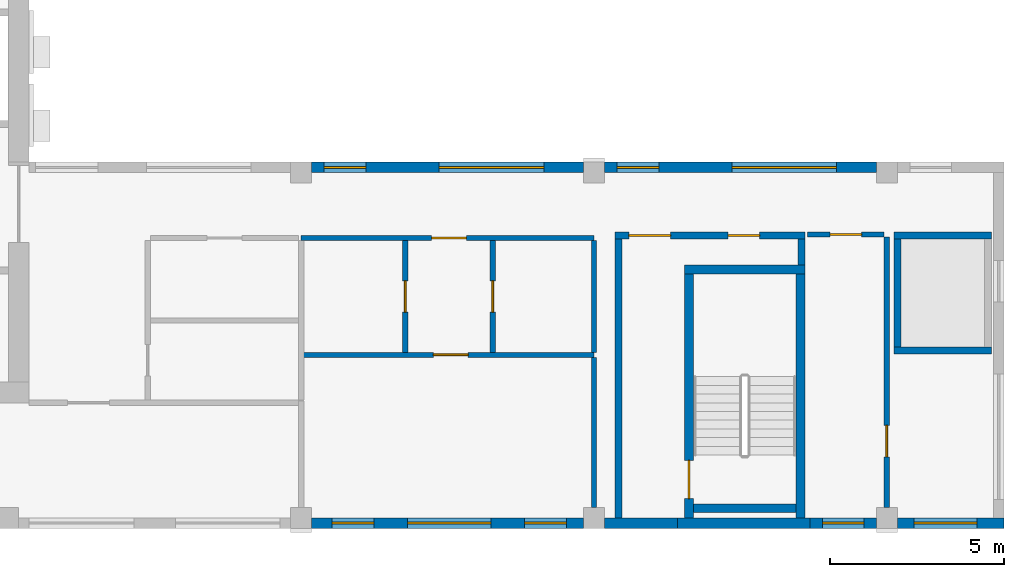
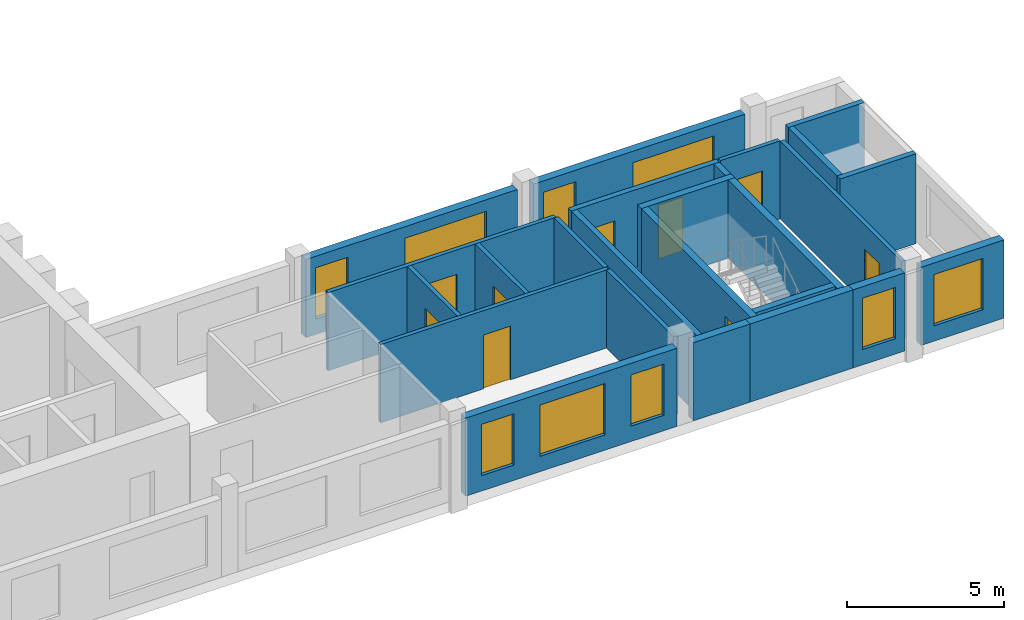
# One storey, part 4 of 10: 25 walls, 9 doors, 9 windows, 18 openings.
"""IFC4 building model written with IfcOpenShell, lengths in metres."""

from ifc_helpers import new_model, si_unit, direction, frame, frame_2d, origin, place, context, subcontext, project, spatial, rectangle, extrude, source, transform, mapped, material, layer, layer_set, type_object, element, fill, save


model = new_model("IFC4")

# Units and contexts
model_context = context("Model", 3, precision=1e-05, world=origin(), true_north=direction((0.0, 1.0)))
body_context = subcontext(model_context, "Body", "Model", "MODEL_VIEW")
ifc_project = project(units=[si_unit("LENGTHUNIT", "METRE"), si_unit("AREAUNIT", "SQUARE_METRE"), si_unit("VOLUMEUNIT", "CUBIC_METRE"), si_unit("PLANEANGLEUNIT", "RADIAN"), si_unit("MASSUNIT", "GRAM", prefix="KILO")], contexts=[model_context])

# Site, building, storey
site_placement = place(None, origin())
site = spatial("IfcSite", under=ifc_project, at=site_placement, CompositionType="ELEMENT")
building_placement = place(site_placement, origin())
building = spatial("IfcBuilding", under=site, at=building_placement, Name="Aurelian Terraces", CompositionType="ELEMENT")
storey_placement = place(building_placement, frame((0.0, 0.0, 365.0)))
storey = spatial("IfcBuildingStorey", under=building, at=storey_placement, Name="L87", CompositionType="ELEMENT", Elevation=365.0)

# Wall
ifc_material_1 = material(Name="Gypsum board on steel studs", Category="steel")
ifc_layer_1 = layer(ifc_material_1, 0.2)
ifc_layer_set_1 = layer_set([ifc_layer_1], Name="Core partition 200")
wall_type_1 = type_object("IfcWallType", Name="Core partition 200", PredefinedType="PARTITIONING", material=ifc_layer_set_1)
wall_1_placement = place(storey_placement, frame((38.5, 0.3, 0.0), z_axis=(0.0, 0.0, 1.0), x_axis=(0.0, 1.0, 0.0)))
element("IfcWall", 1, at=wall_1_placement, inside=storey, type_object=wall_type_1, Name="L87 core wall ST-S2-VW", PredefinedType="PARTITIONING", context=body_context, shape_type="SweptSolid", body=[
    extrude(rectangle(XDim=8.0, YDim=0.2, at=frame_2d((4.0, 0.0))), origin(), (0.0, 0.0, 1.0), 3.05),
])

# Wall, openings, doors
wall_2_placement = place(storey_placement, frame((38.4, 8.4, 0.0), z_axis=(0.0, 0.0, 1.0), x_axis=(1.0, 0.0, 0.0)))
wall_2 = element("IfcWall", 2, at=wall_2_placement, inside=storey, type_object=wall_type_1, Name="L87 core wall ST-S2-BN", PredefinedType="PARTITIONING", context=body_context, shape_type="SweptSolid", body=[
    extrude(rectangle(XDim=5.45, YDim=0.2, at=frame_2d((2.725, 0.0))), origin(), (0.0, 0.0, 1.0), 3.05),
])
shared_shape_1 = source(origin(), body_context, "Body", "SweptSolid", [
    extrude(rectangle(XDim=1.2, YDim=2.1, at=frame_2d((0.6, 1.05))), frame((0.0, 0.11, 0.0), z_axis=(0.0, -1.0, 0.0), x_axis=(1.0, 0.0, 0.0)), (0.0, 0.0, 1.0), 0.22),
])
opening_1_placement = place(wall_2_placement, frame((0.4, 0.0, 0.0)))
opening_1 = element("IfcOpeningElement", 3, at=opening_1_placement, cuts=wall_2, Name="Opening 69018", PredefinedType="OPENING", context=body_context, shape_type="MappedRepresentation", body=[
    mapped(shared_shape_1, transform((0.0, 0.0, 0.0), scale=1.0)),
])
shared_shape_2 = source(origin(), body_context, "Body", "SweptSolid", [
    extrude(rectangle(XDim=0.9, YDim=2.1, at=frame_2d((0.45, 1.05))), frame((0.0, 0.11, 0.0), z_axis=(0.0, -1.0, 0.0), x_axis=(1.0, 0.0, 0.0)), (0.0, 0.0, 1.0), 0.22),
])
opening_2_placement = place(wall_2_placement, frame((3.25, 0.0, 0.0)))
opening_2 = element("IfcOpeningElement", 4, at=opening_2_placement, cuts=wall_2, Name="Opening 69019", PredefinedType="OPENING", context=body_context, shape_type="MappedRepresentation", body=[
    mapped(shared_shape_2, transform((0.0, 0.0, 0.0), scale=1.0)),
])
ifc_material_2 = material(Name="Steel door leaf", Category="steel")
door_type_1 = type_object("IfcDoorType", Name="Core riser door 900x2100 right", OperationType="SINGLE_SWING_RIGHT", PredefinedType="DOOR", material=ifc_material_2)
shared_shape_3 = source(origin(), body_context, "Body", "SweptSolid", [
    extrude(rectangle(XDim=0.9, YDim=2.1, at=frame_2d((0.45, 1.05))), frame((0.0, 0.025, 0.0), z_axis=(0.0, -1.0, 0.0), x_axis=(1.0, 0.0, 0.0)), (0.0, 0.0, 1.0), 0.05),
])
door_1_placement = place(opening_2_placement, origin())
door_1 = element("IfcDoor", 5, at=door_1_placement, inside=storey, type_object=door_type_1, Name="Riser door 69019", OperationType="SINGLE_SWING_RIGHT", OverallHeight=2.1, OverallWidth=0.9, PredefinedType="DOOR", context=body_context, shape_type="MappedRepresentation", body=[
    mapped(shared_shape_3, transform((0.0, 0.0, 0.0), scale=1.0)),
])
fill(opening_2, door_1)
door_type_2 = type_object("IfcDoorType", Name="Core fire door 1200x2100", OperationType="SINGLE_SWING_LEFT", PredefinedType="DOOR", material=ifc_material_2)
shared_shape_4 = source(origin(), body_context, "Body", "SweptSolid", [
    extrude(rectangle(XDim=1.2, YDim=2.1, at=frame_2d((0.6, 1.05))), frame((0.0, 0.025, 0.0), z_axis=(0.0, -1.0, 0.0), x_axis=(1.0, 0.0, 0.0)), (0.0, 0.0, 1.0), 0.05),
])
door_2_placement = place(opening_1_placement, origin())
door_2 = element("IfcDoor", 6, at=door_2_placement, inside=storey, type_object=door_type_2, Name="Vestibule door 69018", OperationType="SINGLE_SWING_LEFT", OverallHeight=2.1, OverallWidth=1.2, PredefinedType="DOOR", context=body_context, shape_type="MappedRepresentation", body=[
    mapped(shared_shape_4, transform((0.0, 0.0, 0.0), scale=1.0)),
])
fill(opening_1, door_2)

# Walls
wall_3_placement = place(storey_placement, frame((43.75, 7.55, 0.0), z_axis=(0.0, 0.0, 1.0), x_axis=(0.0, 1.0, 0.0)))
element("IfcWall", 7, at=wall_3_placement, inside=storey, type_object=wall_type_1, Name="L87 core wall ST-S2-RE", PredefinedType="PARTITIONING", context=body_context, shape_type="SweptSolid", body=[
    extrude(rectangle(XDim=0.75, YDim=0.2, at=frame_2d((0.375, 0.0))), origin(), (0.0, 0.0, 1.0), 3.05),
])
ifc_material_3 = material(Name="Terracotta rainscreen cladding", Category="masonry")
ifc_layer_2 = layer(ifc_material_3, 0.3)
ifc_layer_set_2 = layer_set([ifc_layer_2], Name="EW-300")
wall_type_2 = type_object("IfcWallType", Name="EW-300", PredefinedType="STANDARD", material=ifc_layer_set_2)
wall_4_placement = place(storey_placement, frame((38.1, 0.15, 0.0), z_axis=(0.0, 0.0, 1.0), x_axis=(1.0, 0.0, 0.0)))
element("IfcWall", 8, at=wall_4_placement, inside=storey, type_object=wall_type_2, Name="External wall L87 F01.5", PredefinedType="STANDARD", context=body_context, shape_type="SweptSolid", body=[
    extrude(rectangle(XDim=2.1, YDim=0.3, at=frame_2d((1.05, 0.0))), origin(), (0.0, 0.0, 1.0), 3.05),
])

# Wall, opening, window
wall_5_placement = place(storey_placement, frame((44.0, 0.15, 0.0), z_axis=(0.0, 0.0, 1.0), x_axis=(1.0, 0.0, 0.0)))
wall_5 = element("IfcWall", 9, at=wall_5_placement, inside=storey, type_object=wall_type_2, Name="External wall L87 F01.5", PredefinedType="STANDARD", context=body_context, shape_type="SweptSolid", body=[
    extrude(rectangle(XDim=1.9, YDim=0.3, at=frame_2d((0.95, 0.0))), origin(), (0.0, 0.0, 1.0), 3.05),
])
shared_shape_5 = source(origin(), body_context, "Body", "SweptSolid", [
    extrude(rectangle(XDim=1.2, YDim=2.0, at=frame_2d((0.6, 1.0))), frame((0.0, 0.16, 0.0), z_axis=(0.0, -1.0, 0.0), x_axis=(1.0, 0.0, 0.0)), (0.0, 0.0, 1.0), 0.32),
])
opening_3_placement = place(wall_5_placement, frame((0.35, 0.0, 0.6)))
opening_3 = element("IfcOpeningElement", 10, at=opening_3_placement, cuts=wall_5, Name="Opening W1220", PredefinedType="OPENING", context=body_context, shape_type="MappedRepresentation", body=[
    mapped(shared_shape_5, transform((0.0, 0.0, 0.0), scale=1.0)),
])
ifc_material_4 = material(Name="Clear glazing", Category="glass")
window_type_1 = type_object("IfcWindowType", Name="W-1200x2000", PartitioningType="SINGLE_PANEL", PredefinedType="WINDOW", material=ifc_material_4)
shared_shape_6 = source(origin(), body_context, "Body", "SweptSolid", [
    extrude(rectangle(XDim=1.2, YDim=2.0, at=frame_2d((0.6, 1.0))), frame((0.0, 0.03, 0.0), z_axis=(0.0, -1.0, 0.0), x_axis=(1.0, 0.0, 0.0)), (0.0, 0.0, 1.0), 0.06),
])
window_1_placement = place(opening_3_placement, origin())
window_1 = element("IfcWindow", 11, at=window_1_placement, inside=storey, type_object=window_type_1, Name="Window L87 L87-F01-05-P2", OverallHeight=2.0, OverallWidth=1.2, PartitioningType="SINGLE_PANEL", PredefinedType="WINDOW", context=body_context, shape_type="MappedRepresentation", body=[
    mapped(shared_shape_6, transform((0.0, 0.0, 0.0), scale=1.0)),
])
fill(opening_3, window_1)

wall_6_placement = place(storey_placement, frame((46.5, 0.15, 0.0), z_axis=(0.0, 0.0, 1.0), x_axis=(1.0, 0.0, 0.0)))
wall_6 = element("IfcWall", 12, at=wall_6_placement, inside=storey, type_object=wall_type_2, Name="External wall L87 F01.6", PredefinedType="STANDARD", context=body_context, shape_type="SweptSolid", body=[
    extrude(rectangle(XDim=3.06, YDim=0.3, at=frame_2d((1.53, 0.0))), origin(), (0.0, 0.0, 1.0), 3.05),
])
shared_shape_7 = source(origin(), body_context, "Body", "SweptSolid", [
    extrude(rectangle(XDim=1.8, YDim=2.0, at=frame_2d((0.9, 1.0))), frame((0.0, 0.16, 0.0), z_axis=(0.0, -1.0, 0.0), x_axis=(1.0, 0.0, 0.0)), (0.0, 0.0, 1.0), 0.32),
])
opening_4_placement = place(wall_6_placement, frame((0.48, 0.0, 0.6)))
opening_4 = element("IfcOpeningElement", 13, at=opening_4_placement, cuts=wall_6, Name="Opening W1820", PredefinedType="OPENING", context=body_context, shape_type="MappedRepresentation", body=[
    mapped(shared_shape_7, transform((0.0, 0.0, 0.0), scale=1.0)),
])
window_type_2 = type_object("IfcWindowType", Name="W-1800x2000", PartitioningType="SINGLE_PANEL", PredefinedType="WINDOW", material=ifc_material_4)
shared_shape_8 = source(origin(), body_context, "Body", "SweptSolid", [
    extrude(rectangle(XDim=1.8, YDim=2.0, at=frame_2d((0.9, 1.0))), frame((0.0, 0.03, 0.0), z_axis=(0.0, -1.0, 0.0), x_axis=(1.0, 0.0, 0.0)), (0.0, 0.0, 1.0), 0.06),
])
window_2_placement = place(opening_4_placement, origin())
window_2 = element("IfcWindow", 14, at=window_2_placement, inside=storey, type_object=window_type_2, Name="Window L87 L87-F01-06-0", OverallHeight=2.0, OverallWidth=1.8, PartitioningType="SINGLE_PANEL", PredefinedType="WINDOW", context=body_context, shape_type="MappedRepresentation", body=[
    mapped(shared_shape_8, transform((0.0, 0.0, 0.0), scale=1.0)),
])
fill(opening_4, window_2)

# Walls
ifc_layer_3 = layer(ifc_material_1, 0.15)
ifc_layer_set_3 = layer_set([ifc_layer_3], Name="Fire partition 150")
wall_type_3 = type_object("IfcWallType", Name="Fire partition 150", PredefinedType="PARTITIONING", material=ifc_layer_set_3)
wall_7_placement = place(storey_placement, frame((37.8, 0.599, 0.0), z_axis=(0.0, 0.0, 1.0), x_axis=(0.0, 1.0, 0.0)))
element("IfcWall", 15, at=wall_7_placement, inside=storey, type_object=wall_type_3, Name="Party wall", PredefinedType="PARTITIONING", context=body_context, shape_type="SweptSolid", body=[
    extrude(rectangle(XDim=4.301, YDim=0.15, at=frame_2d((2.1505, 0.0))), origin(), (0.0, 0.0, 1.0), 3.05),
])
ifc_material_5 = material(Name="Concrete fc' 40 MPa", Category="concrete")
ifc_layer_4 = layer(ifc_material_5, 0.2)
ifc_layer_set_4 = layer_set([ifc_layer_4], Name="Lift shaft wall 200")
wall_type_4 = type_object("IfcWallType", Name="Lift shaft wall 200", PredefinedType="SOLIDWALL", material=ifc_layer_set_4)
wall_8_placement = place(storey_placement, frame((46.4, 5.1, 0.0), z_axis=(0.0, 0.0, 1.0), x_axis=(1.0, 0.0, 0.0)))
element("IfcWall", 16, at=wall_8_placement, inside=storey, type_object=wall_type_4, Name="L87 core wall SV-F", PredefinedType="SOLIDWALL", context=body_context, shape_type="SweptSolid", body=[
    extrude(rectangle(XDim=2.8, YDim=0.2, at=frame_2d((1.4, 0.0))), origin(), (0.0, 0.0, 1.0), 3.5),
])

# Wall, opening, door
ifc_layer_5 = layer(ifc_material_1, 0.15)
ifc_layer_set_5 = layer_set([ifc_layer_5], Name="Partition 150")
wall_type_5 = type_object("IfcWallType", Name="Partition 150", PredefinedType="PARTITIONING", material=ifc_layer_set_5)
wall_9_placement = place(storey_placement, frame((46.125, 8.425, 0.0), z_axis=(0.0, 0.0, 1.0), x_axis=(-1.0, 0.0, 0.0)))
wall_9 = element("IfcWall", 17, at=wall_9_placement, inside=storey, type_object=wall_type_5, Name="Partition", PredefinedType="PARTITIONING", context=body_context, shape_type="SweptSolid", body=[
    extrude(rectangle(XDim=2.2, YDim=0.15, at=frame_2d((1.1, 0.0))), origin(), (0.0, 0.0, 1.0), 3.05),
])
shared_shape_9 = source(origin(), body_context, "Body", "SweptSolid", [
    extrude(rectangle(XDim=0.9, YDim=2.1, at=frame_2d((0.45, 1.05))), frame((0.0, 0.085, 0.0), z_axis=(0.0, -1.0, 0.0), x_axis=(1.0, 0.0, 0.0)), (0.0, 0.0, 1.0), 0.17),
])
opening_5_placement = place(wall_9_placement, frame((0.65, 0.0, 0.0)))
opening_5 = element("IfcOpeningElement", 18, at=opening_5_placement, cuts=wall_9, Name="Opening 787005", PredefinedType="OPENING", context=body_context, shape_type="MappedRepresentation", body=[
    mapped(shared_shape_9, transform((0.0, 0.0, 0.0), scale=1.0)),
])
ifc_material_6 = material(Name="Timber door leaf", Category="wood")
door_type_3 = type_object("IfcDoorType", Name="Room door 900x2100 left", OperationType="SINGLE_SWING_LEFT", PredefinedType="DOOR", material=ifc_material_6)
door_3_placement = place(opening_5_placement, origin())
door_3 = element("IfcDoor", 19, at=door_3_placement, inside=storey, type_object=door_type_3, Name="Door 787005", OperationType="SINGLE_SWING_LEFT", OverallHeight=2.1, OverallWidth=0.9, PredefinedType="DOOR", context=body_context, shape_type="MappedRepresentation", body=[
    mapped(shared_shape_3, transform((0.0, 0.0, 0.0), scale=1.0)),
])
fill(opening_5, door_3)

wall_10_placement = place(storey_placement, frame((32.3889, 5.05, 0.0), z_axis=(0.0, 0.0, 1.0), x_axis=(0.0, 1.0, 0.0)))
wall_10 = element("IfcWall", 20, at=wall_10_placement, inside=storey, type_object=wall_type_5, Name="Partition", PredefinedType="PARTITIONING", context=body_context, shape_type="SweptSolid", body=[
    extrude(rectangle(XDim=3.2, YDim=0.15, at=frame_2d((1.6, 0.0))), origin(), (0.0, 0.0, 1.0), 3.05),
])
opening_6_placement = place(wall_10_placement, frame((1.15, 0.0, 0.0)))
opening_6 = element("IfcOpeningElement", 21, at=opening_6_placement, cuts=wall_10, Name="Opening 787008", PredefinedType="OPENING", context=body_context, shape_type="MappedRepresentation", body=[
    mapped(shared_shape_9, transform((0.0, 0.0, 0.0), scale=1.0)),
])
door_type_4 = type_object("IfcDoorType", Name="Room door 900x2100 right", OperationType="SINGLE_SWING_RIGHT", PredefinedType="DOOR", material=ifc_material_6)
door_4_placement = place(opening_6_placement, origin())
door_4 = element("IfcDoor", 22, at=door_4_placement, inside=storey, type_object=door_type_4, Name="Door 787008", OperationType="SINGLE_SWING_RIGHT", OverallHeight=2.1, OverallWidth=0.9, PredefinedType="DOOR", context=body_context, shape_type="MappedRepresentation", body=[
    mapped(shared_shape_3, transform((0.0, 0.0, 0.0), scale=1.0)),
])
fill(opening_6, door_4)

wall_11_placement = place(storey_placement, frame((37.8, 4.975, 0.0), z_axis=(0.0, 0.0, 1.0), x_axis=(-1.0, 0.0, 0.0)))
wall_11 = element("IfcWall", 23, at=wall_11_placement, inside=storey, type_object=wall_type_5, Name="Partition", PredefinedType="PARTITIONING", context=body_context, shape_type="SweptSolid", body=[
    extrude(rectangle(XDim=8.4, YDim=0.15, at=frame_2d((4.2, 0.0))), origin(), (0.0, 0.0, 1.0), 3.05),
])
shared_shape_10 = source(origin(), body_context, "Body", "SweptSolid", [
    extrude(rectangle(XDim=1.0, YDim=2.1, at=frame_2d((0.5, 1.05))), frame((0.0, 0.085, 0.0), z_axis=(0.0, -1.0, 0.0), x_axis=(1.0, 0.0, 0.0)), (0.0, 0.0, 1.0), 0.17),
])
opening_7_placement = place(wall_11_placement, frame((3.608, 0.0, 0.0)))
opening_7 = element("IfcOpeningElement", 24, at=opening_7_placement, cuts=wall_11, Name="Opening 787007", PredefinedType="OPENING", context=body_context, shape_type="MappedRepresentation", body=[
    mapped(shared_shape_10, transform((0.0, 0.0, 0.0), scale=1.0)),
])
door_type_5 = type_object("IfcDoorType", Name="Room door 1000x2100 left", OperationType="SINGLE_SWING_LEFT", PredefinedType="DOOR", material=ifc_material_6)
shared_shape_11 = source(origin(), body_context, "Body", "SweptSolid", [
    extrude(rectangle(XDim=1.0, YDim=2.1, at=frame_2d((0.5, 1.05))), frame((0.0, 0.025, 0.0), z_axis=(0.0, -1.0, 0.0), x_axis=(1.0, 0.0, 0.0)), (0.0, 0.0, 1.0), 0.05),
])
door_5_placement = place(opening_7_placement, origin())
door_5 = element("IfcDoor", 25, at=door_5_placement, inside=storey, type_object=door_type_5, Name="Door 787007", OperationType="SINGLE_SWING_LEFT", OverallHeight=2.1, OverallWidth=1.0, PredefinedType="DOOR", context=body_context, shape_type="MappedRepresentation", body=[
    mapped(shared_shape_11, transform((0.0, 0.0, 0.0), scale=1.0)),
])
fill(opening_7, door_5)

wall_12_placement = place(storey_placement, frame((46.2, 8.35, 0.0), z_axis=(0.0, 0.0, 1.0), x_axis=(0.0, -1.0, 0.0)))
wall_12 = element("IfcWall", 26, at=wall_12_placement, inside=storey, type_object=wall_type_5, Name="Partition", PredefinedType="PARTITIONING", context=body_context, shape_type="SweptSolid", body=[
    extrude(rectangle(XDim=7.751, YDim=0.15, at=frame_2d((3.8755, 0.0))), origin(), (0.0, 0.0, 1.0), 3.05),
])
opening_8_placement = place(wall_12_placement, frame((5.4, 0.0, 0.0)))
opening_8 = element("IfcOpeningElement", 27, at=opening_8_placement, cuts=wall_12, Name="Opening 787010", PredefinedType="OPENING", context=body_context, shape_type="MappedRepresentation", body=[
    mapped(shared_shape_9, transform((0.0, 0.0, 0.0), scale=1.0)),
])
door_6_placement = place(opening_8_placement, origin())
door_6 = element("IfcDoor", 28, at=door_6_placement, inside=storey, type_object=door_type_4, Name="Door 787010", OperationType="SINGLE_SWING_RIGHT", OverallHeight=2.1, OverallWidth=0.9, PredefinedType="DOOR", context=body_context, shape_type="MappedRepresentation", body=[
    mapped(shared_shape_3, transform((0.0, 0.0, 0.0), scale=1.0)),
])
fill(opening_8, door_6)

# Wall
ifc_layer_6 = layer(ifc_material_5, 0.3)
ifc_layer_set_6 = layer_set([ifc_layer_6], Name="STAIR BAY WALL 300")
wall_type_6 = type_object("IfcWallType", Name="STAIR BAY WALL 300", PredefinedType="SOLIDWALL", material=ifc_layer_set_6)
wall_13_placement = place(storey_placement, frame((40.2, 0.15, 0.0), z_axis=(0.0, 0.0, 1.0), x_axis=(1.0, 0.0, 0.0)))
element("IfcWall", 29, at=wall_13_placement, inside=storey, type_object=wall_type_6, Name="Stair bay wall L87 F01.5", PredefinedType="SOLIDWALL", context=body_context, shape_type="SweptSolid", body=[
    extrude(rectangle(XDim=3.8, YDim=0.3, at=frame_2d((1.9, 0.0))), origin(), (0.0, 0.0, 1.0), 3.05),
])

# Wall, opening, door
ifc_layer_7 = layer(ifc_material_5, 0.25)
ifc_layer_set_7 = layer_set([ifc_layer_7], Name="Stair enclosure wall 250")
wall_type_7 = type_object("IfcWallType", Name="Stair enclosure wall 250", PredefinedType="SOLIDWALL", material=ifc_layer_set_7)
wall_14_placement = place(storey_placement, frame((40.525, 0.3, 0.0), z_axis=(0.0, 0.0, 1.0), x_axis=(0.0, 1.0, 0.0)))
wall_14 = element("IfcWall", 30, at=wall_14_placement, inside=storey, type_object=wall_type_7, Name="L87 core wall ST-S2-W", PredefinedType="SOLIDWALL", context=body_context, shape_type="SweptSolid", body=[
    extrude(rectangle(XDim=7.0, YDim=0.25, at=frame_2d((3.5, 0.0))), origin(), (0.0, 0.0, 1.0), 3.05),
])
shared_shape_12 = source(origin(), body_context, "Body", "SweptSolid", [
    extrude(rectangle(XDim=1.1, YDim=2.1, at=frame_2d((0.55, 1.05))), frame((0.0, 0.135, 0.0), z_axis=(0.0, -1.0, 0.0), x_axis=(1.0, 0.0, 0.0)), (0.0, 0.0, 1.0), 0.27),
])
opening_9_placement = place(wall_14_placement, frame((0.55, 0.0, 0.0)))
opening_9 = element("IfcOpeningElement", 31, at=opening_9_placement, cuts=wall_14, Name="Opening 69017", PredefinedType="OPENING", context=body_context, shape_type="MappedRepresentation", body=[
    mapped(shared_shape_12, transform((0.0, 0.0, 0.0), scale=1.0)),
])
door_type_6 = type_object("IfcDoorType", Name="Core fire door 1100x2100 right", OperationType="SINGLE_SWING_RIGHT", PredefinedType="DOOR", material=ifc_material_2)
shared_shape_13 = source(origin(), body_context, "Body", "SweptSolid", [
    extrude(rectangle(XDim=1.1, YDim=2.1, at=frame_2d((0.55, 1.05))), frame((0.0, 0.025, 0.0), z_axis=(0.0, -1.0, 0.0), x_axis=(1.0, 0.0, 0.0)), (0.0, 0.0, 1.0), 0.05),
])
door_7_placement = place(opening_9_placement, origin())
door_7 = element("IfcDoor", 32, at=door_7_placement, inside=storey, type_object=door_type_6, Name="Stair door 69017", OperationType="SINGLE_SWING_RIGHT", OverallHeight=2.1, OverallWidth=1.1, PredefinedType="DOOR", context=body_context, shape_type="MappedRepresentation", body=[
    mapped(shared_shape_13, transform((0.0, 0.0, 0.0), scale=1.0)),
])
fill(opening_9, door_7)

# Walls
wall_15_placement = place(storey_placement, frame((40.4, 7.425, 0.0), z_axis=(0.0, 0.0, 1.0), x_axis=(1.0, 0.0, 0.0)))
element("IfcWall", 33, at=wall_15_placement, inside=storey, type_object=wall_type_7, Name="L87 core wall ST-S2-N", PredefinedType="SOLIDWALL", context=body_context, shape_type="SweptSolid", body=[
    extrude(rectangle(XDim=3.45, YDim=0.25, at=frame_2d((1.725, 0.0))), origin(), (0.0, 0.0, 1.0), 3.05),
])
wall_16_placement = place(storey_placement, frame((40.65, 0.575, 0.0), z_axis=(0.0, 0.0, 1.0), x_axis=(1.0, 0.0, 0.0)))
element("IfcWall", 34, at=wall_16_placement, inside=storey, type_object=wall_type_7, Name="L87 core wall ST-S2-SS", PredefinedType="SOLIDWALL", context=body_context, shape_type="SweptSolid", body=[
    extrude(rectangle(XDim=2.95, YDim=0.25, at=frame_2d((1.475, 0.0))), origin(), (0.0, 0.0, 1.0), 3.05),
])

# Wall, openings, windows
shared_shape_14 = source(origin(), body_context, "Body", "SweptSolid", [
    extrude(rectangle(XDim=7.8, YDim=0.3, at=frame_2d((3.9, 0.0))), origin(), (0.0, 0.0, 1.0), 3.05),
])
wall_17_placement = place(storey_placement, frame((29.7, 0.15, 0.0), z_axis=(0.0, 0.0, 1.0), x_axis=(1.0, 0.0, 0.0)))
wall_17 = element("IfcWall", 35, at=wall_17_placement, inside=storey, type_object=wall_type_2, Name="External wall L87 F01.4", PredefinedType="STANDARD", context=body_context, shape_type="MappedRepresentation", body=[
    mapped(shared_shape_14, transform((0.0, 0.0, 0.0), scale=1.0)),
])
opening_10_placement = place(wall_17_placement, frame((0.5875, 0.0, 0.6)))
opening_10 = element("IfcOpeningElement", 36, at=opening_10_placement, cuts=wall_17, Name="Opening W1220", PredefinedType="OPENING", context=body_context, shape_type="MappedRepresentation", body=[
    mapped(shared_shape_5, transform((0.0, 0.0, 0.0), scale=1.0)),
])
opening_11_placement = place(wall_17_placement, frame((6.1125, 0.0, 0.6)))
opening_11 = element("IfcOpeningElement", 37, at=opening_11_placement, cuts=wall_17, Name="Opening W1220", PredefinedType="OPENING", context=body_context, shape_type="MappedRepresentation", body=[
    mapped(shared_shape_5, transform((0.0, 0.0, 0.0), scale=1.0)),
])
shared_shape_15 = source(origin(), body_context, "Body", "SweptSolid", [
    extrude(rectangle(XDim=2.4, YDim=2.0, at=frame_2d((1.2, 1.0))), frame((0.0, 0.16, 0.0), z_axis=(0.0, -1.0, 0.0), x_axis=(1.0, 0.0, 0.0)), (0.0, 0.0, 1.0), 0.32),
])
opening_12_placement = place(wall_17_placement, frame((2.75, 0.0, 0.6)))
opening_12 = element("IfcOpeningElement", 38, at=opening_12_placement, cuts=wall_17, Name="Opening W2420", PredefinedType="OPENING", context=body_context, shape_type="MappedRepresentation", body=[
    mapped(shared_shape_15, transform((0.0, 0.0, 0.0), scale=1.0)),
])
window_3_placement = place(opening_10_placement, origin())
window_3 = element("IfcWindow", 39, at=window_3_placement, inside=storey, type_object=window_type_1, Name="Window L87 L87-F01-04-0", OverallHeight=2.0, OverallWidth=1.2, PartitioningType="SINGLE_PANEL", PredefinedType="WINDOW", context=body_context, shape_type="MappedRepresentation", body=[
    mapped(shared_shape_6, transform((0.0, 0.0, 0.0), scale=1.0)),
])
fill(opening_10, window_3)
window_4_placement = place(opening_11_placement, origin())
window_4 = element("IfcWindow", 40, at=window_4_placement, inside=storey, type_object=window_type_1, Name="Window L87 L87-F01-04-1", OverallHeight=2.0, OverallWidth=1.2, PartitioningType="SINGLE_PANEL", PredefinedType="WINDOW", context=body_context, shape_type="MappedRepresentation", body=[
    mapped(shared_shape_6, transform((0.0, 0.0, 0.0), scale=1.0)),
])
fill(opening_11, window_4)
window_type_3 = type_object("IfcWindowType", Name="W-2400x2000", PartitioningType="SINGLE_PANEL", PredefinedType="WINDOW", material=ifc_material_4)
shared_shape_16 = source(origin(), body_context, "Body", "SweptSolid", [
    extrude(rectangle(XDim=2.4, YDim=2.0, at=frame_2d((1.2, 1.0))), frame((0.0, 0.03, 0.0), z_axis=(0.0, -1.0, 0.0), x_axis=(1.0, 0.0, 0.0)), (0.0, 0.0, 1.0), 0.06),
])
window_5_placement = place(opening_12_placement, origin())
window_5 = element("IfcWindow", 41, at=window_5_placement, inside=storey, type_object=window_type_3, Name="Window L87 L87-F01-04-G0-21", OverallHeight=2.0, OverallWidth=2.4, PartitioningType="SINGLE_PANEL", PredefinedType="WINDOW", context=body_context, shape_type="MappedRepresentation", body=[
    mapped(shared_shape_16, transform((0.0, 0.0, 0.0), scale=1.0)),
])
fill(opening_12, window_5)

wall_18_placement = place(storey_placement, frame((45.9, 10.35, 0.0), z_axis=(0.0, 0.0, 1.0), x_axis=(-1.0, 0.0, 0.0)))
wall_18 = element("IfcWall", 42, at=wall_18_placement, inside=storey, type_object=wall_type_2, Name="External wall L87 F03.8", PredefinedType="STANDARD", context=body_context, shape_type="MappedRepresentation", body=[
    mapped(shared_shape_14, transform((0.0, 0.0, 0.0), scale=1.0)),
])
shared_shape_17 = source(origin(), body_context, "Body", "SweptSolid", [
    extrude(rectangle(XDim=3.0, YDim=2.0, at=frame_2d((1.5, 1.0))), frame((0.0, 0.16, 0.0), z_axis=(0.0, -1.0, 0.0), x_axis=(1.0, 0.0, 0.0)), (0.0, 0.0, 1.0), 0.32),
])
opening_13_placement = place(wall_18_placement, frame((1.14, 0.0, 0.6)))
opening_13 = element("IfcOpeningElement", 43, at=opening_13_placement, cuts=wall_18, Name="Opening W3020", PredefinedType="OPENING", context=body_context, shape_type="MappedRepresentation", body=[
    mapped(shared_shape_17, transform((0.0, 0.0, 0.0), scale=1.0)),
])
opening_14_placement = place(wall_18_placement, frame((6.24, 0.0, 0.6)))
opening_14 = element("IfcOpeningElement", 44, at=opening_14_placement, cuts=wall_18, Name="Opening W1220", PredefinedType="OPENING", context=body_context, shape_type="MappedRepresentation", body=[
    mapped(shared_shape_5, transform((0.0, 0.0, 0.0), scale=1.0)),
])
window_type_4 = type_object("IfcWindowType", Name="W-3000x2000", PartitioningType="SINGLE_PANEL", PredefinedType="WINDOW", material=ifc_material_4)
shared_shape_18 = source(origin(), body_context, "Body", "SweptSolid", [
    extrude(rectangle(XDim=3.0, YDim=2.0, at=frame_2d((1.5, 1.0))), frame((0.0, 0.03, 0.0), z_axis=(0.0, -1.0, 0.0), x_axis=(1.0, 0.0, 0.0)), (0.0, 0.0, 1.0), 0.06),
])
window_6_placement = place(opening_13_placement, origin())
window_6 = element("IfcWindow", 45, at=window_6_placement, inside=storey, type_object=window_type_4, Name="Window L87 L87-F03-08-1", OverallHeight=2.0, OverallWidth=3.0, PartitioningType="SINGLE_PANEL", PredefinedType="WINDOW", context=body_context, shape_type="MappedRepresentation", body=[
    mapped(shared_shape_18, transform((0.0, 0.0, 0.0), scale=1.0)),
])
fill(opening_13, window_6)
window_7_placement = place(opening_14_placement, origin())
window_7 = element("IfcWindow", 46, at=window_7_placement, inside=storey, type_object=window_type_1, Name="Window L87 L87-F03-08-2", OverallHeight=2.0, OverallWidth=1.2, PartitioningType="SINGLE_PANEL", PredefinedType="WINDOW", context=body_context, shape_type="MappedRepresentation", body=[
    mapped(shared_shape_6, transform((0.0, 0.0, 0.0), scale=1.0)),
])
fill(opening_14, window_7)

wall_19_placement = place(storey_placement, frame((37.5, 10.35, 0.0), z_axis=(0.0, 0.0, 1.0), x_axis=(-1.0, 0.0, 0.0)))
wall_19 = element("IfcWall", 47, at=wall_19_placement, inside=storey, type_object=wall_type_2, Name="External wall L87 F03.8", PredefinedType="STANDARD", context=body_context, shape_type="MappedRepresentation", body=[
    mapped(shared_shape_14, transform((0.0, 0.0, 0.0), scale=1.0)),
])
opening_15_placement = place(wall_19_placement, frame((1.14, 0.0, 0.6)))
opening_15 = element("IfcOpeningElement", 48, at=opening_15_placement, cuts=wall_19, Name="Opening W3020", PredefinedType="OPENING", context=body_context, shape_type="MappedRepresentation", body=[
    mapped(shared_shape_17, transform((0.0, 0.0, 0.0), scale=1.0)),
])
opening_16_placement = place(wall_19_placement, frame((6.24, 0.0, 0.6)))
opening_16 = element("IfcOpeningElement", 49, at=opening_16_placement, cuts=wall_19, Name="Opening W1220", PredefinedType="OPENING", context=body_context, shape_type="MappedRepresentation", body=[
    mapped(shared_shape_5, transform((0.0, 0.0, 0.0), scale=1.0)),
])
window_8_placement = place(opening_15_placement, origin())
window_8 = element("IfcWindow", 50, at=window_8_placement, inside=storey, type_object=window_type_4, Name="Window L87 L87-F03-08-3", OverallHeight=2.0, OverallWidth=3.0, PartitioningType="SINGLE_PANEL", PredefinedType="WINDOW", context=body_context, shape_type="MappedRepresentation", body=[
    mapped(shared_shape_18, transform((0.0, 0.0, 0.0), scale=1.0)),
])
fill(opening_15, window_8)
window_9_placement = place(opening_16_placement, origin())
window_9 = element("IfcWindow", 51, at=window_9_placement, inside=storey, type_object=window_type_1, Name="Window L87 L87-F03-08-4", OverallHeight=2.0, OverallWidth=1.2, PartitioningType="SINGLE_PANEL", PredefinedType="WINDOW", context=body_context, shape_type="MappedRepresentation", body=[
    mapped(shared_shape_6, transform((0.0, 0.0, 0.0), scale=1.0)),
])
fill(opening_16, window_9)

# Walls
shared_shape_19 = source(origin(), body_context, "Body", "SweptSolid", [
    extrude(rectangle(XDim=3.1, YDim=0.2, at=frame_2d((1.55, 0.0))), origin(), (0.0, 0.0, 1.0), 3.5),
])
wall_20_placement = place(storey_placement, frame((46.5, 5.2, 0.0), z_axis=(0.0, 0.0, 1.0), x_axis=(0.0, 1.0, 0.0)))
element("IfcWall", 52, at=wall_20_placement, inside=storey, type_object=wall_type_4, Name="L87 core wall SV-W", PredefinedType="SOLIDWALL", context=body_context, shape_type="MappedRepresentation", body=[
    mapped(shared_shape_19, transform((0.0, 0.0, 0.0), scale=1.0)),
])
shared_shape_20 = source(origin(), body_context, "Body", "SweptSolid", [
    extrude(rectangle(XDim=2.8, YDim=0.2, at=frame_2d((1.4, 0.0))), origin(), (0.0, 0.0, 1.0), 3.5),
])
wall_21_placement = place(storey_placement, frame((46.4, 8.4, 0.0), z_axis=(0.0, 0.0, 1.0), x_axis=(1.0, 0.0, 0.0)))
element("IfcWall", 53, at=wall_21_placement, inside=storey, type_object=wall_type_4, Name="L87 core wall SV-N", PredefinedType="SOLIDWALL", context=body_context, shape_type="MappedRepresentation", body=[
    mapped(shared_shape_20, transform((0.0, 0.0, 0.0), scale=1.0)),
])
shared_shape_21 = source(origin(), body_context, "Body", "SweptSolid", [
    extrude(rectangle(XDim=7.0, YDim=0.25, at=frame_2d((3.5, 0.0))), origin(), (0.0, 0.0, 1.0), 3.05),
])
wall_22_placement = place(storey_placement, frame((43.725, 0.3, 0.0), z_axis=(0.0, 0.0, 1.0), x_axis=(0.0, 1.0, 0.0)))
element("IfcWall", 54, at=wall_22_placement, inside=storey, type_object=wall_type_7, Name="L87 core wall ST-S2-E", PredefinedType="SOLIDWALL", context=body_context, shape_type="MappedRepresentation", body=[
    mapped(shared_shape_21, transform((0.0, 0.0, 0.0), scale=1.0)),
])

# Wall, opening, door
shared_shape_22 = source(origin(), body_context, "Body", "SweptSolid", [
    extrude(rectangle(XDim=3.2, YDim=0.15, at=frame_2d((1.6, 0.0))), origin(), (0.0, 0.0, 1.0), 3.05),
])
wall_23_placement = place(storey_placement, frame((34.8952, 5.05, 0.0), z_axis=(0.0, 0.0, 1.0), x_axis=(0.0, 1.0, 0.0)))
wall_23 = element("IfcWall", 55, at=wall_23_placement, inside=storey, type_object=wall_type_5, Name="Partition", PredefinedType="PARTITIONING", context=body_context, shape_type="MappedRepresentation", body=[
    mapped(shared_shape_22, transform((0.0, 0.0, 0.0), scale=1.0)),
])
opening_17_placement = place(wall_23_placement, frame((1.15, 0.0, 0.0)))
opening_17 = element("IfcOpeningElement", 56, at=opening_17_placement, cuts=wall_23, Name="Opening 787009", PredefinedType="OPENING", context=body_context, shape_type="MappedRepresentation", body=[
    mapped(shared_shape_9, transform((0.0, 0.0, 0.0), scale=1.0)),
])
door_8_placement = place(opening_17_placement, origin())
door_8 = element("IfcDoor", 57, at=door_8_placement, inside=storey, type_object=door_type_3, Name="Door 787009", OperationType="SINGLE_SWING_LEFT", OverallHeight=2.1, OverallWidth=0.9, PredefinedType="DOOR", context=body_context, shape_type="MappedRepresentation", body=[
    mapped(shared_shape_3, transform((0.0, 0.0, 0.0), scale=1.0)),
])
fill(opening_17, door_8)

# Wall
wall_24_placement = place(storey_placement, frame((37.8, 5.05, 0.0), z_axis=(0.0, 0.0, 1.0), x_axis=(0.0, 1.0, 0.0)))
element("IfcWall", 58, at=wall_24_placement, inside=storey, type_object=wall_type_3, Name="Party wall", PredefinedType="PARTITIONING", context=body_context, shape_type="MappedRepresentation", body=[
    mapped(shared_shape_22, transform((0.0, 0.0, 0.0), scale=1.0)),
])

# Wall, opening, door
shared_shape_23 = source(origin(), body_context, "Body", "SweptSolid", [
    extrude(rectangle(XDim=8.4, YDim=0.15, at=frame_2d((4.2, 0.0))), origin(), (0.0, 0.0, 1.0), 3.05),
])
wall_25_placement = place(storey_placement, frame((37.8, 8.325, 0.0), z_axis=(0.0, 0.0, 1.0), x_axis=(-1.0, 0.0, 0.0)))
wall_25 = element("IfcWall", 59, at=wall_25_placement, inside=storey, type_object=wall_type_3, Name="Corridor wall", PredefinedType="PARTITIONING", context=body_context, shape_type="MappedRepresentation", body=[
    mapped(shared_shape_23, transform((0.0, 0.0, 0.0), scale=1.0)),
])
opening_18_placement = place(wall_25_placement, frame((3.658, 0.0, 0.0)))
opening_18 = element("IfcOpeningElement", 60, at=opening_18_placement, cuts=wall_25, Name="Opening 787006", PredefinedType="OPENING", context=body_context, shape_type="MappedRepresentation", body=[
    mapped(shared_shape_10, transform((0.0, 0.0, 0.0), scale=1.0)),
])
door_type_7 = type_object("IfcDoorType", Name="Entrance fire door 1000x2100 right", OperationType="SINGLE_SWING_RIGHT", PredefinedType="DOOR", material=ifc_material_2)
door_9_placement = place(opening_18_placement, origin())
door_9 = element("IfcDoor", 61, at=door_9_placement, inside=storey, type_object=door_type_7, Name="Door 787006", OperationType="SINGLE_SWING_RIGHT", OverallHeight=2.1, OverallWidth=1.0, PredefinedType="DOOR", context=body_context, shape_type="MappedRepresentation", body=[
    mapped(shared_shape_11, transform((0.0, 0.0, 0.0), scale=1.0)),
])
fill(opening_18, door_9)

save(model, "model.ifc")
